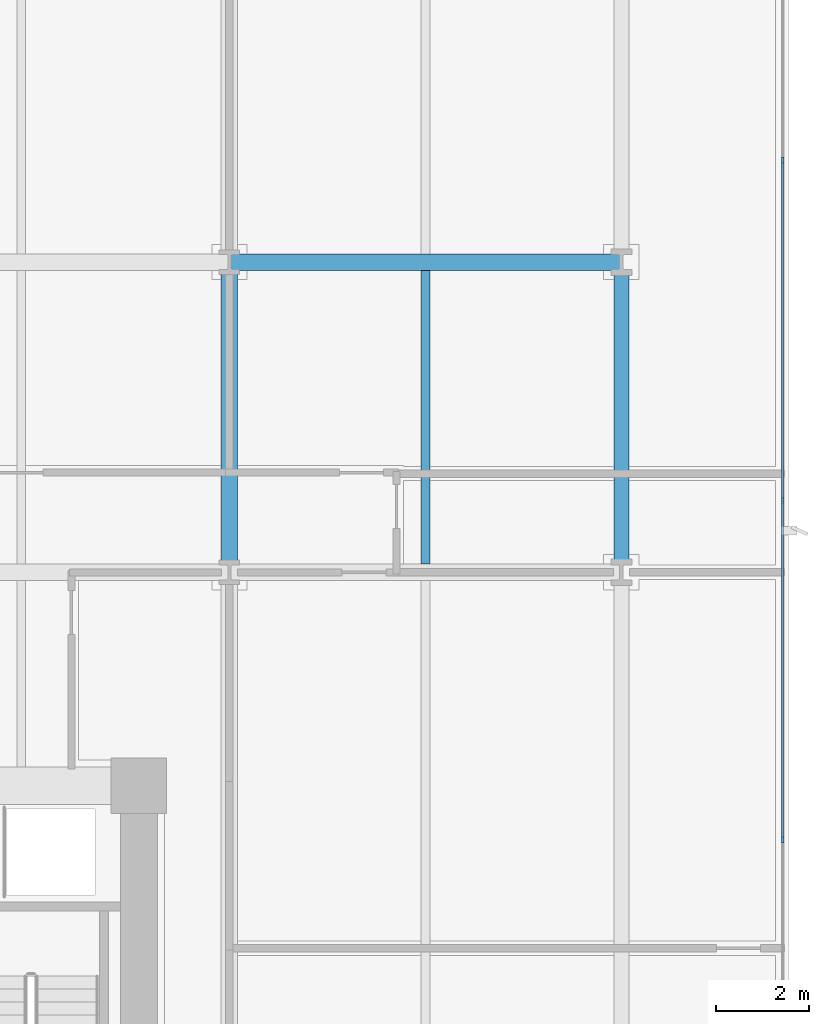
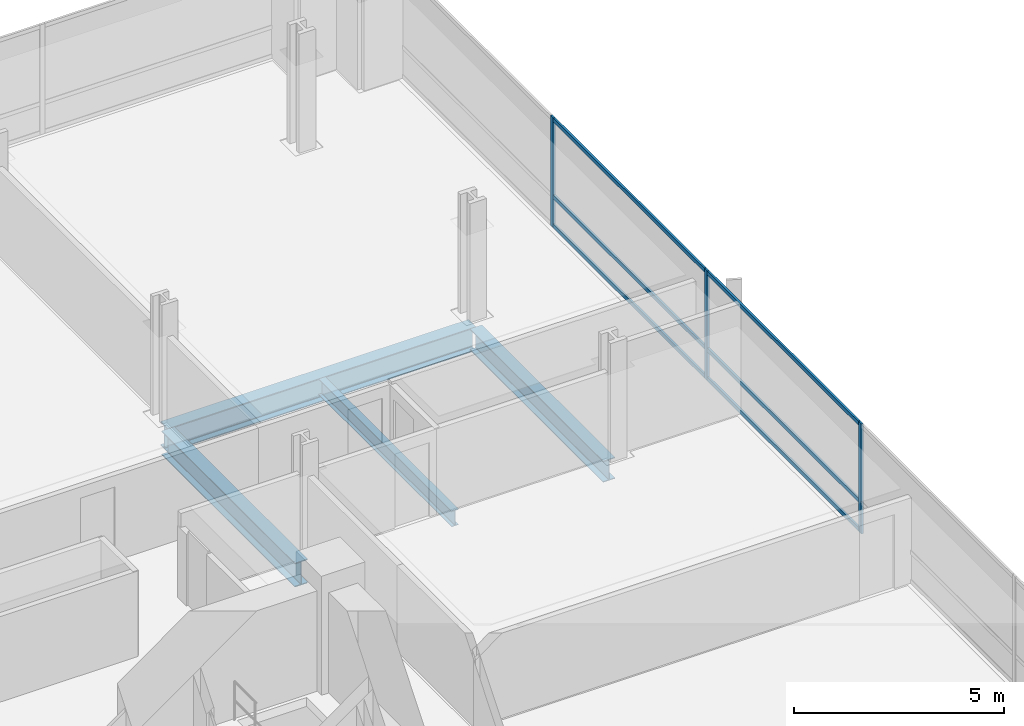
# One storey, part 8 of 21: 9 members, 4 beams, 1 element without a shape of its own.
"""IFC4 building model written with IfcOpenShell, lengths in metres."""

from ifc_helpers import new_model, si_unit, direction, frame, origin, origin_2d, place, context, subcontext, project, spatial, rectangle, i_section, extrude, material, material_profile, profile_set, type_object, element, aggregate, save


model = new_model("IFC4")

# Units and contexts
model_context = context("Model", 3, precision=1e-05, world=origin(), true_north=direction((0.0, 1.0)))
body_context = subcontext(model_context, "Body", "Model", "MODEL_VIEW")
ifc_project = project(units=[si_unit("LENGTHUNIT", "METRE"), si_unit("AREAUNIT", "SQUARE_METRE"), si_unit("VOLUMEUNIT", "CUBIC_METRE"), si_unit("PLANEANGLEUNIT", "RADIAN"), si_unit("MASSUNIT", "GRAM", prefix="KILO")], contexts=[model_context])

# Site, building, storey
site_placement = place(None, origin())
site = spatial("IfcSite", under=ifc_project, at=site_placement, CompositionType="ELEMENT")
building_placement = place(site_placement, origin())
building = spatial("IfcBuilding", under=site, at=building_placement, Name="Solmavex Isthmus Hotel", CompositionType="ELEMENT")
storey_placement = place(building_placement, frame((0.0, 0.0, 60.89990234375)))
storey = spatial("IfcBuildingStorey", under=building, at=storey_placement, Name="L16", CompositionType="ELEMENT", Elevation=60.89990234375)

# Beams
ifc_material_1 = material(Name="Steel ASTM A992 Grade 50", Category="steel")
ifc_material_profile_1 = material_profile(ifc_material_1, i_section(OverallWidth=0.354736328125, OverallDepth=0.695556640625, WebThickness=0.015380859375, FlangeThickness=0.02490234375, FilletRadius=0.017822265625, at=origin_2d()), Name="W27X146")
ifc_profile_set_1 = profile_set([ifc_material_profile_1], Name="Steel ASTM A992 Grade 50")
beam_type_1 = type_object("IfcBeamType", Name="BM-BG-W27X146", PredefinedType="BEAM", material=ifc_profile_set_1)
beam_1_placement = place(storey_placement, frame((17.951904296875, 8.7880859375, -0.607666015625), z_axis=(1.0, 0.0, 0.0), x_axis=(0.0, 1.0, 0.0)))
element("IfcBeam", 1, at=beam_1_placement, inside=storey, type_object=beam_type_1, Name="Floor Girder L16-UG18", PredefinedType="BEAM", context=body_context, shape_type="SweptSolid", body=[
    extrude(i_section(OverallWidth=0.354736328125, OverallDepth=0.695556640625, WebThickness=0.015380859375, FlangeThickness=0.02490234375, FilletRadius=0.017822265625, at=origin_2d()), origin(), (0.0, 0.0, 1.0), 8.447998046875),
])
beam_2_placement = place(storey_placement, frame((17.951904296875, 2.27734375, -0.607666015625), z_axis=(0.0, 1.0, 0.0), x_axis=(-1.0, 0.0, 0.0)))
element("IfcBeam", 2, at=beam_2_placement, inside=storey, type_object=beam_type_1, Name="Floor Beam L16-VG44", PredefinedType="BEAM", context=body_context, shape_type="SweptSolid", body=[
    extrude(i_section(OverallWidth=0.354736328125, OverallDepth=0.695556640625, WebThickness=0.015380859375, FlangeThickness=0.02490234375, FilletRadius=0.017822265625, at=origin_2d()), origin(), (0.0, 0.0, 1.0), 6.333251953125),
])
ifc_material_profile_2 = material_profile(ifc_material_1, i_section(OverallWidth=0.1904296875, OverallDepth=0.456787109375, WebThickness=0.009033203125, FlangeThickness=0.014404296875, FilletRadius=0.0126953125, at=origin_2d()), Name="W18X50")
ifc_profile_set_2 = profile_set([ifc_material_profile_2], Name="Steel ASTM A992 Grade 50")
beam_type_2 = type_object("IfcBeamType", Name="BM-BJ-W18X50", PredefinedType="JOIST", material=ifc_profile_set_2)
beam_3_placement = place(storey_placement, frame((22.176025390625, 2.27734375, -0.48828125), z_axis=(0.0, 1.0, 0.0), x_axis=(-1.0, 0.0, 0.0)))
element("IfcBeam", 3, at=beam_3_placement, inside=storey, type_object=beam_type_2, Name="Secondary Floor Joist L16-J21", PredefinedType="JOIST", context=body_context, shape_type="SweptSolid", body=[
    extrude(i_section(OverallWidth=0.1904296875, OverallDepth=0.456787109375, WebThickness=0.009033203125, FlangeThickness=0.014404296875, FilletRadius=0.0126953125, at=origin_2d()), origin(), (0.0, 0.0, 1.0), 6.333251953125),
])
ifc_material_profile_3 = material_profile(ifc_material_1, i_section(OverallWidth=0.326416015625, OverallDepth=0.621826171875, WebThickness=0.015380859375, FlangeThickness=0.0244140625, FilletRadius=0.01513671875, at=origin_2d()), Name="W24X131")
ifc_profile_set_3 = profile_set([ifc_material_profile_3], Name="Steel ASTM A992 Grade 50")
beam_type_3 = type_object("IfcBeamType", Name="BM-SP-W24X131", PredefinedType="SPANDREL", material=ifc_profile_set_3)
beam_4_placement = place(storey_placement, frame((26.39990234375, 2.27734375, -0.57080078125), z_axis=(0.0, 1.0, 0.0), x_axis=(-1.0, 0.0, 0.0)))
element("IfcBeam", 4, at=beam_4_placement, inside=storey, type_object=beam_type_3, Name="Floor Beam L16-VG47", PredefinedType="SPANDREL", context=body_context, shape_type="SweptSolid", body=[
    extrude(i_section(OverallWidth=0.326416015625, OverallDepth=0.621826171875, WebThickness=0.015380859375, FlangeThickness=0.0244140625, FilletRadius=0.01513671875, at=origin_2d()), origin(), (0.0, 0.0, 1.0), 6.333251953125),
])

# Curtain wall, members
ifc_material_2 = material(Name="Aluminium alloy 6063-T6", Category="aluminium")
curtain_wall_type = type_object("IfcCurtainWallType", Name="CW-SYS-06", PredefinedType="NOTDEFINED", material=ifc_material_2)
curtain_wall_placement = place(storey_placement, origin())
curtain_wall = element("IfcCurtainWall", 5, at=curtain_wall_placement, inside=storey, type_object=curtain_wall_type, Name="Stick Curtain Wall CWL-L16-E1", PredefinedType="NOTDEFINED")
ifc_material_profile_4 = material_profile(ifc_material_2, rectangle(XDim=0.06005859375, YDim=0.139892578125, at=origin_2d()), Name="CWM-60X140")
ifc_profile_set_4 = profile_set([ifc_material_profile_4], Name="Aluminium alloy 6063-T6")
member_type_1 = type_object("IfcMemberType", Name="CW-SYS-06-MUL", PredefinedType="MULLION", material=ifc_profile_set_4)
member_1_placement = place(storey_placement, frame((29.8798828125, -3.659912109375, 0.0), z_axis=(0.0, 0.0, 1.0), x_axis=(-1.0, 0.0, 0.0)))
member_1 = element("IfcMember", 6, at=member_1_placement, type_object=member_type_1, Name="CW-06 mullion 3", PredefinedType="MULLION", context=body_context, shape_type="SweptSolid", body=[
    extrude(rectangle(XDim=0.06005859375, YDim=0.139892578125, at=origin_2d()), origin(), (0.0, 0.0, 1.0), 3.190185546875),
])
member_2_placement = place(storey_placement, frame((29.8798828125, 3.659912109375, 0.0), z_axis=(0.0, 0.0, 1.0), x_axis=(-1.0, 0.0, 0.0)))
member_2 = element("IfcMember", 7, at=member_2_placement, type_object=member_type_1, Name="CW-06 mullion 4", PredefinedType="MULLION", context=body_context, shape_type="SweptSolid", body=[
    extrude(rectangle(XDim=0.06005859375, YDim=0.139892578125, at=origin_2d()), origin(), (0.0, 0.0, 1.0), 3.190185546875),
])
member_3_placement = place(storey_placement, frame((29.8798828125, 10.97998046875, 0.0), z_axis=(0.0, 0.0, 1.0), x_axis=(-1.0, 0.0, 0.0)))
member_3 = element("IfcMember", 8, at=member_3_placement, type_object=member_type_1, Name="CW-06 mullion 5", PredefinedType="MULLION", context=body_context, shape_type="SweptSolid", body=[
    extrude(rectangle(XDim=0.06005859375, YDim=0.139892578125, at=origin_2d()), origin(), (0.0, 0.0, 1.0), 3.190185546875),
])
ifc_material_profile_5 = material_profile(ifc_material_2, rectangle(XDim=0.06005859375, YDim=0.114990234375, at=origin_2d()), Name="CWT-60X115")
ifc_profile_set_5 = profile_set([ifc_material_profile_5], Name="Aluminium alloy 6063-T6")
member_type_2 = type_object("IfcMemberType", Name="CW-SYS-06-TRN", PredefinedType="USERDEFINED", material=ifc_profile_set_5)
member_4_placement = place(storey_placement, frame((29.8798828125, -3.6298828125, 0.0576171875), z_axis=(0.0, 1.0, 0.0), x_axis=(-1.0, 0.0, 0.0)))
member_4 = element("IfcMember", 9, at=member_4_placement, type_object=member_type_2, Name="CW-06 transom 3.1", ObjectType="TRANSOM", PredefinedType="USERDEFINED", context=body_context, shape_type="SweptSolid", body=[
    extrude(rectangle(XDim=0.06005859375, YDim=0.114990234375, at=origin_2d()), origin(), (0.0, 0.0, 1.0), 7.259765625),
])
member_5_placement = place(storey_placement, frame((29.8798828125, -3.6298828125, 0.900146484375), z_axis=(0.0, 1.0, 0.0), x_axis=(-1.0, 0.0, 0.0)))
member_5 = element("IfcMember", 10, at=member_5_placement, type_object=member_type_2, Name="CW-06 transom 3.2", ObjectType="TRANSOM", PredefinedType="USERDEFINED", context=body_context, shape_type="SweptSolid", body=[
    extrude(rectangle(XDim=0.06005859375, YDim=0.114990234375, at=origin_2d()), origin(), (0.0, 0.0, 1.0), 7.259765625),
])
member_6_placement = place(storey_placement, frame((29.8798828125, -3.6298828125, 3.132568359375), z_axis=(0.0, 1.0, 0.0), x_axis=(-1.0, 0.0, 0.0)))
member_6 = element("IfcMember", 11, at=member_6_placement, type_object=member_type_2, Name="CW-06 transom 3.3", ObjectType="TRANSOM", PredefinedType="USERDEFINED", context=body_context, shape_type="SweptSolid", body=[
    extrude(rectangle(XDim=0.06005859375, YDim=0.114990234375, at=origin_2d()), origin(), (0.0, 0.0, 1.0), 7.259765625),
])
member_7_placement = place(storey_placement, frame((29.8798828125, 3.68994140625, 0.0576171875), z_axis=(0.0, 1.0, 0.0), x_axis=(-1.0, 0.0, 0.0)))
member_7 = element("IfcMember", 12, at=member_7_placement, type_object=member_type_2, Name="CW-06 transom 4.1", ObjectType="TRANSOM", PredefinedType="USERDEFINED", context=body_context, shape_type="SweptSolid", body=[
    extrude(rectangle(XDim=0.06005859375, YDim=0.114990234375, at=origin_2d()), origin(), (0.0, 0.0, 1.0), 7.260009765625),
])
member_8_placement = place(storey_placement, frame((29.8798828125, 3.68994140625, 0.900146484375), z_axis=(0.0, 1.0, 0.0), x_axis=(-1.0, 0.0, 0.0)))
member_8 = element("IfcMember", 13, at=member_8_placement, type_object=member_type_2, Name="CW-06 transom 4.2", ObjectType="TRANSOM", PredefinedType="USERDEFINED", context=body_context, shape_type="SweptSolid", body=[
    extrude(rectangle(XDim=0.06005859375, YDim=0.114990234375, at=origin_2d()), origin(), (0.0, 0.0, 1.0), 7.260009765625),
])
member_9_placement = place(storey_placement, frame((29.8798828125, 3.68994140625, 3.132568359375), z_axis=(0.0, 1.0, 0.0), x_axis=(-1.0, 0.0, 0.0)))
member_9 = element("IfcMember", 14, at=member_9_placement, type_object=member_type_2, Name="CW-06 transom 4.3", ObjectType="TRANSOM", PredefinedType="USERDEFINED", context=body_context, shape_type="SweptSolid", body=[
    extrude(rectangle(XDim=0.06005859375, YDim=0.114990234375, at=origin_2d()), origin(), (0.0, 0.0, 1.0), 7.260009765625),
])
aggregate(curtain_wall, [member_1, member_2, member_3, member_4, member_5, member_6, member_7, member_8, member_9])

save(model, "model.ifc")
